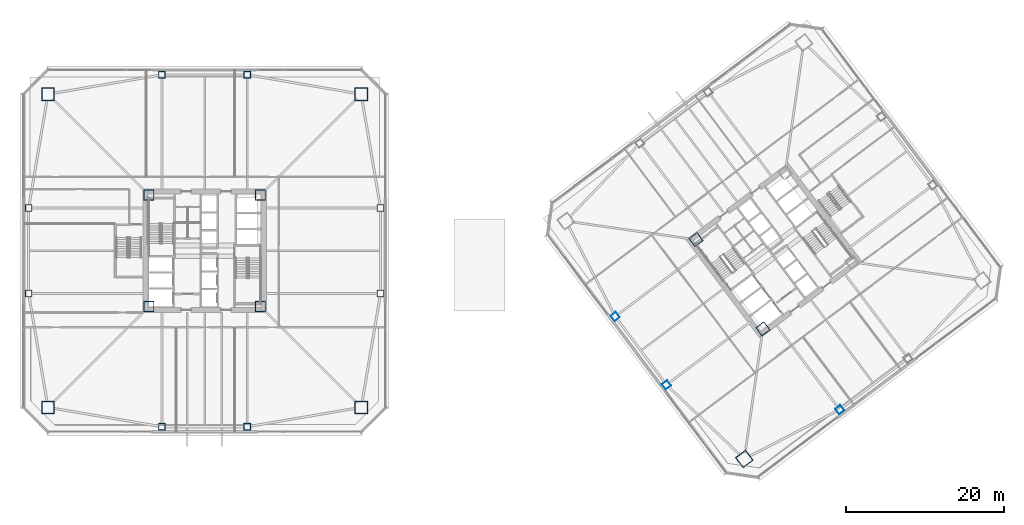
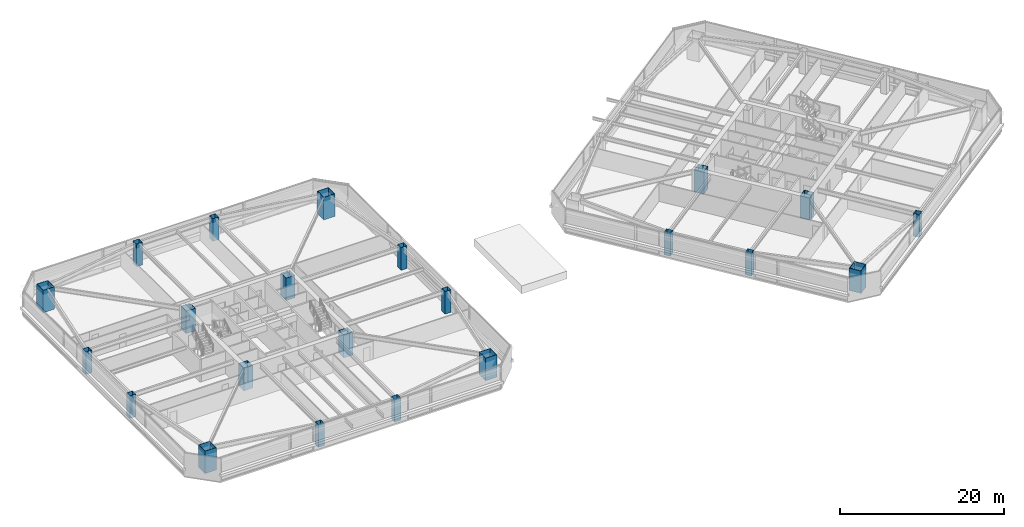
# One storey, part 1 of 46: 22 columns.
"""IFC4 building model written with IfcOpenShell, lengths in metres."""

from ifc_helpers import new_model, si_unit, direction, frame, origin, origin_2d, place, context, subcontext, project, spatial, hollow_rectangle, extrude, material, material_profile, profile_set, type_object, element, save


model = new_model("IFC4")

# Units and contexts
model_context = context("Model", 3, precision=1e-05, world=origin(), true_north=direction((0.0, 1.0)))
body_context = subcontext(model_context, "Body", "Model", "MODEL_VIEW")
ifc_project = project(units=[si_unit("LENGTHUNIT", "METRE"), si_unit("AREAUNIT", "SQUARE_METRE"), si_unit("VOLUMEUNIT", "CUBIC_METRE"), si_unit("PLANEANGLEUNIT", "RADIAN"), si_unit("MASSUNIT", "GRAM", prefix="KILO")], contexts=[model_context])

# Site, building, storey
site_placement = place(None, origin())
site = spatial("IfcSite", under=ifc_project, at=site_placement, CompositionType="ELEMENT")
building_placement = place(site_placement, origin())
building = spatial("IfcBuilding", under=site, at=building_placement, Name="Tashvorn Skyway Center", CompositionType="ELEMENT")
storey_placement = place(building_placement, frame((0.0, 0.0, 31.699951171875)))
storey = spatial("IfcBuildingStorey", under=building, at=storey_placement, Name="L07", CompositionType="ELEMENT", Elevation=31.699951171875)

# Columns
ifc_material = material(Name="Steel ASTM A572 Grade 50", Category="steel")
ifc_material_profile_1 = material_profile(ifc_material, hollow_rectangle(XDim=1.300048828125, YDim=1.300048828125, WallThickness=0.050048828125, at=origin_2d()), Name="BOX1300x1300x50")
ifc_profile_set_1 = profile_set([ifc_material_profile_1], Name="Steel ASTM A572 Grade 50")
column_type_1 = type_object("IfcColumnType", Name="COL-BOX1300x1300x50", PredefinedType="COLUMN", material=ifc_profile_set_1)
for number, where, z_axis, x_axis, name in (
    (1, (34.949951171875, 24.949951171875, 0.0), (0.0, 0.0, 1.0), (1.0, 0.0, 0.0), "Tower 1 L07 Core Corner Column CC-SW"),
    (2, (49.050048828125, 24.949951171875, 0.0), (0.0, 0.0, 1.0), (1.0, 0.0, 0.0), "Tower 1 L07 Core Corner Column CC-SE"),
    (3, (49.050048828125, 39.050048828125, 0.0), (0.0, 0.0, 1.0), (1.0, 0.0, 0.0), "Tower 1 L07 Core Corner Column CC-NE"),
    (4, (34.949951171875, 39.050048828125, 0.0), (0.0, 0.0, 1.0), (1.0, 0.0, 0.0), "Tower 1 L07 Core Corner Column CC-NW"),
    (5, (112.590087890625, 22.1298828125, 0.0), (0.0, 0.0, 1.0), (0.799999996291, 0.600000004945, 0.0), "Tower 2 L07 Core Corner Column CC-SW"),
    (6, (104.1298828125, 33.409912109375, 0.0), (0.0, 0.0, 1.0), (0.799999996291, 0.600000004945, 0.0), "Tower 2 L07 Core Corner Column CC-NW"),
):
    element("IfcColumn", number, at=place(storey_placement, frame(where, z_axis=z_axis, x_axis=x_axis)), inside=storey, type_object=column_type_1, Name=name, PredefinedType="COLUMN", context=body_context, shape_type="SweptSolid", body=[
        extrude(hollow_rectangle(XDim=1.300048828125, YDim=1.300048828125, WallThickness=0.050048828125, at=origin_2d()), origin(), (0.0, 0.0, 1.0), 3.35009765625),
    ])
ifc_material_profile_2 = material_profile(ifc_material, hollow_rectangle(XDim=1.60009765625, YDim=1.60009765625, WallThickness=0.06005859375, at=origin_2d()), Name="BOX1600x1600x60")
ifc_profile_set_2 = profile_set([ifc_material_profile_2], Name="Steel ASTM A572 Grade 50")
column_type_2 = type_object("IfcColumnType", Name="COL-BOX1600x1600x60", PredefinedType="COLUMN", material=ifc_profile_set_2)
for number, where, z_axis, x_axis, name in (
    (7, (22.199951171875, 12.199951171875, 0.0), (0.0, 0.0, 1.0), (1.0, 0.0, 0.0), "Tower 1 L07 Mega-Column MC-SW"),
    (8, (61.800048828125, 12.199951171875, 0.0), (0.0, 0.0, 1.0), (1.0, 0.0, 0.0), "Tower 1 L07 Mega-Column MC-SE"),
    (9, (61.800048828125, 51.800048828125, 0.0), (0.0, 0.0, 1.0), (1.0, 0.0, 0.0), "Tower 1 L07 Mega-Column MC-NE"),
    (10, (22.199951171875, 51.800048828125, 0.0), (0.0, 0.0, 1.0), (1.0, 0.0, 0.0), "Tower 1 L07 Mega-Column MC-NW"),
    (11, (110.239990234375, 5.679931640625, 0.0), (0.0, 0.0, 1.0), (0.799999996291, 0.600000004945, 0.0), "Tower 2 L07 Mega-Column MC-SW"),
):
    element("IfcColumn", number, at=place(storey_placement, frame(where, z_axis=z_axis, x_axis=x_axis)), inside=storey, type_object=column_type_2, Name=name, PredefinedType="COLUMN", context=body_context, shape_type="SweptSolid", body=[
        extrude(hollow_rectangle(XDim=1.60009765625, YDim=1.60009765625, WallThickness=0.06005859375, at=origin_2d()), origin(), (0.0, 0.0, 1.0), 3.35009765625),
    ])
ifc_material_profile_3 = material_profile(ifc_material, hollow_rectangle(XDim=0.85009765625, YDim=0.85009765625, WallThickness=0.034912109375, at=origin_2d()), Name="BOX850x850x35")
ifc_profile_set_3 = profile_set([ifc_material_profile_3], Name="Steel ASTM A572 Grade 50")
column_type_3 = type_object("IfcColumnType", Name="COL-BOX850x850x35", PredefinedType="COLUMN", material=ifc_profile_set_3)
for number, where, z_axis, x_axis, name in (
    (12, (36.60009765625, 9.75, 0.0), (0.0, 0.0, 1.0), (1.0, 0.0, 0.0), "Tower 1 L07 Perimeter Column FC-S1"),
    (13, (47.39990234375, 9.75, 0.0), (0.0, 0.0, 1.0), (1.0, 0.0, 0.0), "Tower 1 L07 Perimeter Column FC-S2"),
    (14, (64.25, 26.60009765625, 0.0), (0.0, 0.0, 1.0), (1.0, 0.0, 0.0), "Tower 1 L07 Perimeter Column FC-E1"),
    (15, (64.25, 37.39990234375, 0.0), (0.0, 0.0, 1.0), (1.0, 0.0, 0.0), "Tower 1 L07 Perimeter Column FC-E2"),
    (16, (47.39990234375, 54.25, 0.0), (0.0, 0.0, 1.0), (1.0, 0.0, 0.0), "Tower 1 L07 Perimeter Column FC-N1"),
    (17, (36.60009765625, 54.25, 0.0), (0.0, 0.0, 1.0), (1.0, 0.0, 0.0), "Tower 1 L07 Perimeter Column FC-N2"),
    (18, (19.75, 37.39990234375, 0.0), (0.0, 0.0, 1.0), (1.0, 0.0, 0.0), "Tower 1 L07 Perimeter Column FC-W1"),
    (19, (19.75, 26.60009765625, 0.0), (0.0, 0.0, 1.0), (1.0, 0.0, 0.0), "Tower 1 L07 Perimeter Column FC-W2"),
    (20, (122.31005859375, 11.919921875, 0.0), (0.0, 0.0, 1.0), (0.799999996291, 0.600000004945, 0.0), "Tower 2 L07 Perimeter Column FC-S1"),
    (21, (93.919921875, 23.68994140625, 0.0), (0.0, 0.0, 1.0), (0.799999996291, 0.600000004945, 0.0), "Tower 2 L07 Perimeter Column FC-W1"),
    (22, (100.39990234375, 15.050048828125, 0.0), (0.0, 0.0, 1.0), (0.799999996291, 0.600000004945, 0.0), "Tower 2 L07 Perimeter Column FC-W2"),
):
    element("IfcColumn", number, at=place(storey_placement, frame(where, z_axis=z_axis, x_axis=x_axis)), inside=storey, type_object=column_type_3, Name=name, PredefinedType="COLUMN", context=body_context, shape_type="SweptSolid", body=[
        extrude(hollow_rectangle(XDim=0.85009765625, YDim=0.85009765625, WallThickness=0.034912109375, at=origin_2d()), origin(), (0.0, 0.0, 1.0), 3.35009765625),
    ])

save(model, "model.ifc")
